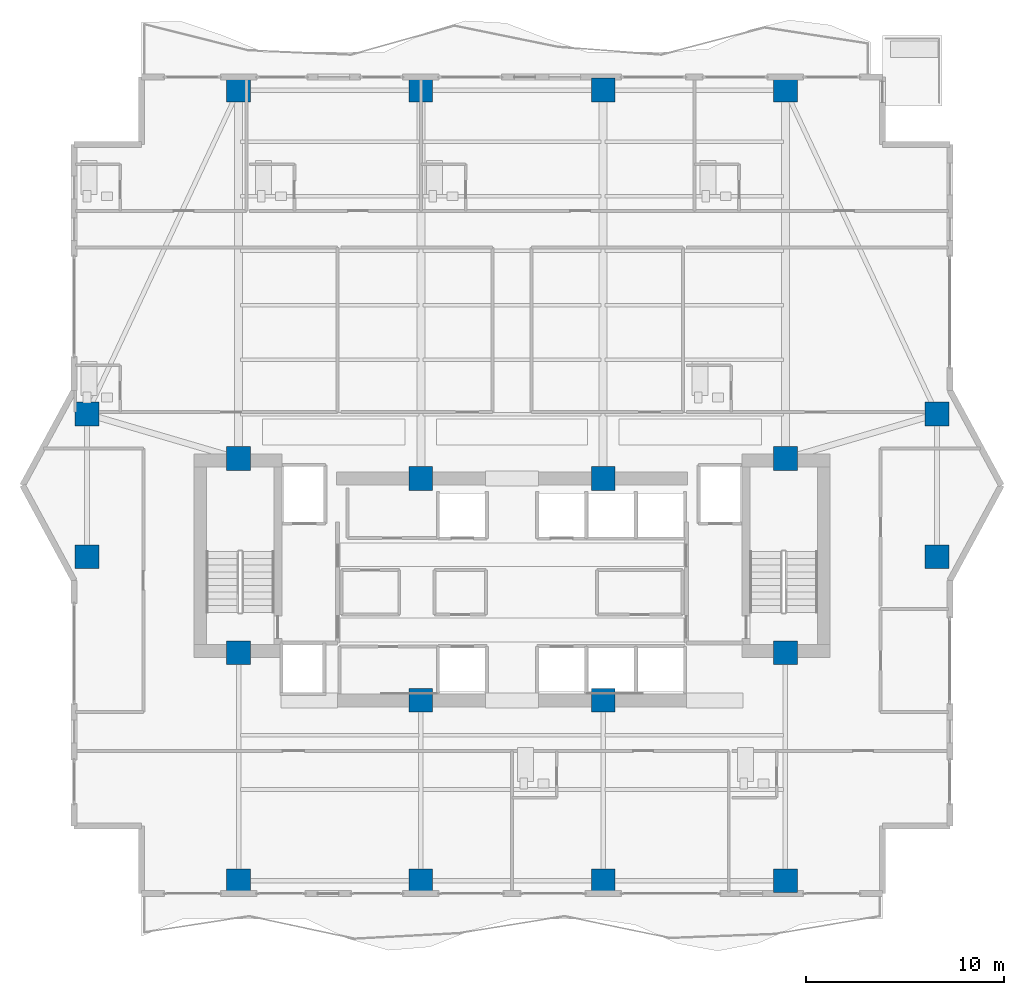
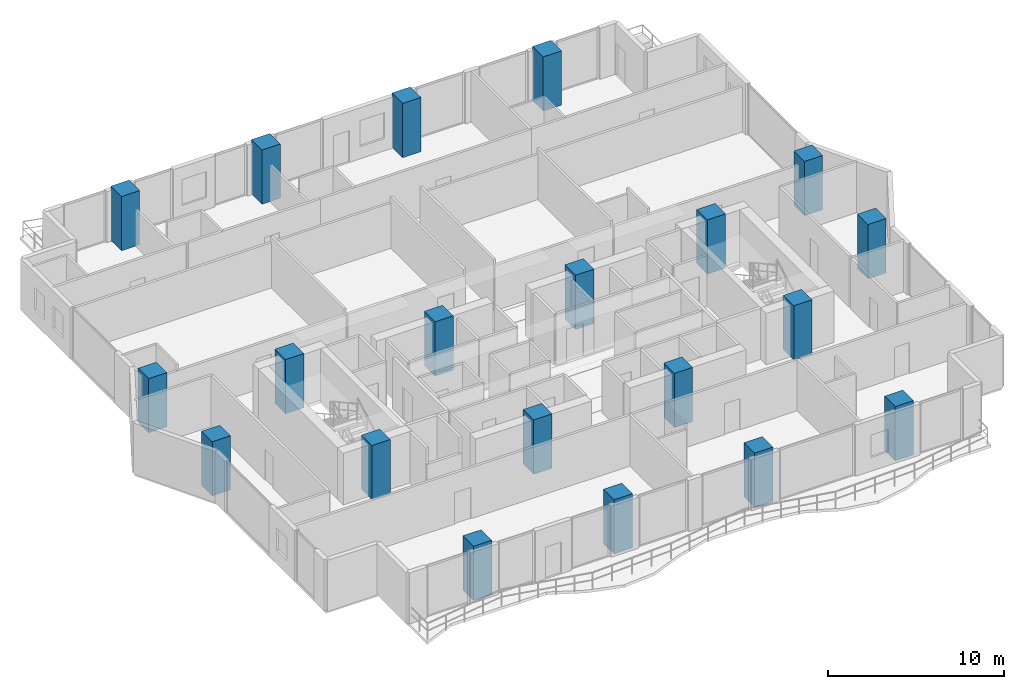
# One storey, part 1 of 33: 20 columns.
"""IFC4 building model written with IfcOpenShell, lengths in metres."""

from ifc_helpers import new_model, si_unit, direction, frame, origin, origin_2d, place, context, subcontext, project, spatial, rectangle, extrude, material, material_profile, profile_set, type_object, element, save


model = new_model("IFC4")

# Units and contexts
model_context = context("Model", 3, precision=1e-05, world=origin(), true_north=direction((0.0, 1.0)))
body_context = subcontext(model_context, "Body", "Model", "MODEL_VIEW")
ifc_project = project(units=[si_unit("LENGTHUNIT", "METRE"), si_unit("AREAUNIT", "SQUARE_METRE"), si_unit("VOLUMEUNIT", "CUBIC_METRE"), si_unit("PLANEANGLEUNIT", "RADIAN"), si_unit("MASSUNIT", "GRAM", prefix="KILO")], contexts=[model_context])

# Site, building, storey
site_placement = place(None, origin())
site = spatial("IfcSite", under=ifc_project, at=site_placement, CompositionType="ELEMENT")
building_placement = place(site_placement, origin())
building = spatial("IfcBuilding", under=site, at=building_placement, Name="Zuhayl Quay Hotel", CompositionType="ELEMENT")
storey_placement = place(building_placement, frame((0.0, 0.0, 211.14990234375)))
storey = spatial("IfcBuildingStorey", under=building, at=storey_placement, Name="L53", CompositionType="ELEMENT", Elevation=211.14990234375)

# Columns
ifc_material = material(Name="Concrete C60/75", Category="concrete")
ifc_material_profile_1 = material_profile(ifc_material, rectangle(XDim=1.199951171875, YDim=1.199951171875, at=origin_2d()), Name="RC1200X1200")
ifc_profile_set_1 = profile_set([ifc_material_profile_1], Name="Concrete C60/75")
column_type_1 = type_object("IfcColumnType", Name="CL_CC2_1200", PredefinedType="COLUMN", material=ifc_profile_set_1)
for number, where, z_axis, x_axis, name in (
    (1, (-13.800048828125, 14.35009765625, 0.0), (0.0, 0.0, 1.0), (1.0, 0.0, 0.0), "L53 Core Column CC_NW"),
    (2, (-4.60009765625, 13.35009765625, 0.0), (0.0, 0.0, 1.0), (1.0, 0.0, 0.0), "L53 Core Column CC_CNW"),
    (3, (4.60009765625, 13.35009765625, 0.0), (0.0, 0.0, 1.0), (1.0, 0.0, 0.0), "L53 Core Column CC_CNE"),
    (4, (13.800048828125, 14.35009765625, 0.0), (0.0, 0.0, 1.0), (1.0, 0.0, 0.0), "L53 Core Column CC_NE"),
    (5, (-13.800048828125, 4.550048828125, 0.0), (0.0, 0.0, 1.0), (1.0, 0.0, 0.0), "L53 Core Column CC_SW"),
    (6, (-4.60009765625, 2.14990234375, 0.0), (0.0, 0.0, 1.0), (1.0, 0.0, 0.0), "L53 Core Column CC_CSW"),
    (7, (4.60009765625, 2.14990234375, 0.0), (0.0, 0.0, 1.0), (1.0, 0.0, 0.0), "L53 Core Column CC_CSE"),
    (8, (13.800048828125, 4.550048828125, 0.0), (0.0, 0.0, 1.0), (1.0, 0.0, 0.0), "L53 Core Column CC_SE"),
):
    element("IfcColumn", number, at=place(storey_placement, frame(where, z_axis=z_axis, x_axis=x_axis)), inside=storey, type_object=column_type_1, Name=name, PredefinedType="COLUMN", context=body_context, shape_type="SweptSolid", body=[
        extrude(rectangle(XDim=1.199951171875, YDim=1.199951171875, at=origin_2d()), origin(), (0.0, 0.0, 1.0), 3.75),
    ])
ifc_material_profile_2 = material_profile(ifc_material, rectangle(XDim=1.199951171875, YDim=1.199951171875, at=origin_2d()), Name="RC1200X1200")
ifc_profile_set_2 = profile_set([ifc_material_profile_2], Name="Concrete C60/75")
column_type_2 = type_object("IfcColumnType", Name="CL_MC3_1200", PredefinedType="COLUMN", material=ifc_profile_set_2)
for number, where, z_axis, x_axis, name in (
    (9, (-13.800048828125, -6.949951171875, 0.0), (0.0, 0.0, 1.0), (1.0, 0.0, 0.0), "L53 Mega-Column MC_S1"),
    (10, (-4.60009765625, -6.949951171875, 0.0), (0.0, 0.0, 1.0), (1.0, 0.0, 0.0), "L53 Mega-Column MC_S2"),
    (11, (4.60009765625, -6.949951171875, 0.0), (0.0, 0.0, 1.0), (1.0, 0.0, 0.0), "L53 Mega-Column MC_S3"),
    (12, (13.800048828125, -6.949951171875, 0.0), (0.0, 0.0, 1.0), (1.0, 0.0, 0.0), "L53 Mega-Column MC_S4"),
    (13, (-13.800048828125, 32.949951171875, 0.0), (0.0, 0.0, 1.0), (1.0, 0.0, 0.0), "L53 Mega-Column MC_N1"),
    (14, (-4.60009765625, 32.949951171875, 0.0), (0.0, 0.0, 1.0), (1.0, 0.0, 0.0), "L53 Mega-Column MC_N2"),
    (15, (4.60009765625, 32.949951171875, 0.0), (0.0, 0.0, 1.0), (1.0, 0.0, 0.0), "L53 Mega-Column MC_N3"),
    (16, (13.800048828125, 32.949951171875, 0.0), (0.0, 0.0, 1.0), (1.0, 0.0, 0.0), "L53 Mega-Column MC_N4"),
    (17, (-21.449951171875, 9.39990234375, 0.0), (0.0, 0.0, 1.0), (1.0, 0.0, 0.0), "L53 Mega-Column MC_W1"),
    (18, (-21.449951171875, 16.60009765625, 0.0), (0.0, 0.0, 1.0), (1.0, 0.0, 0.0), "L53 Mega-Column MC_W2"),
    (19, (21.449951171875, 9.39990234375, 0.0), (0.0, 0.0, 1.0), (1.0, 0.0, 0.0), "L53 Mega-Column MC_E1"),
    (20, (21.449951171875, 16.60009765625, 0.0), (0.0, 0.0, 1.0), (1.0, 0.0, 0.0), "L53 Mega-Column MC_E2"),
):
    element("IfcColumn", number, at=place(storey_placement, frame(where, z_axis=z_axis, x_axis=x_axis)), inside=storey, type_object=column_type_2, Name=name, PredefinedType="COLUMN", context=body_context, shape_type="SweptSolid", body=[
        extrude(rectangle(XDim=1.199951171875, YDim=1.199951171875, at=origin_2d()), origin(), (0.0, 0.0, 1.0), 3.75),
    ])

save(model, "model.ifc")
